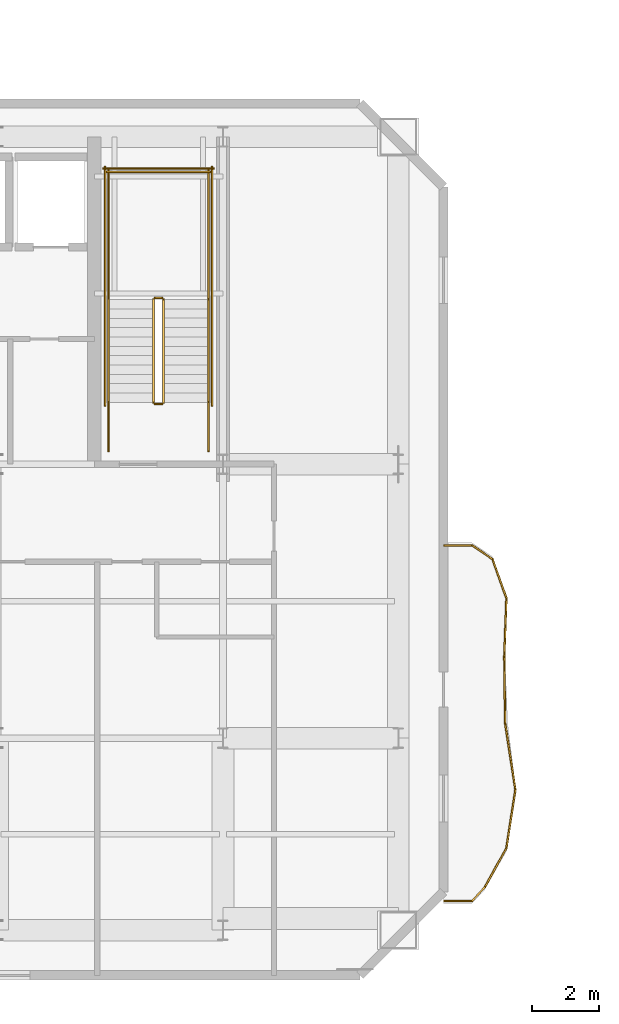
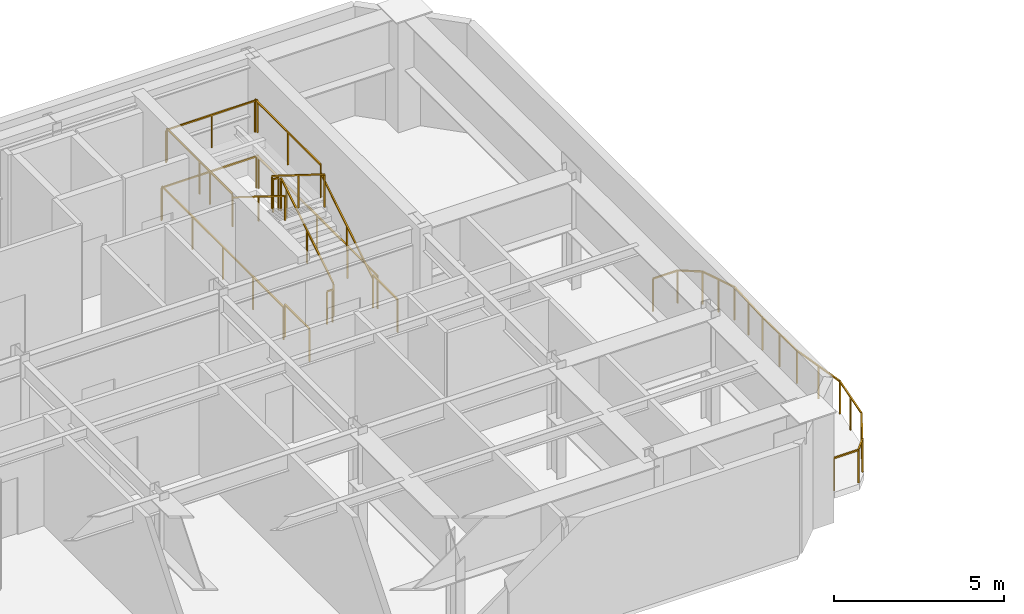
# One storey, part 15 of 16: 24 railings.
"""IFC4 building model written with IfcOpenShell, lengths in metres."""

from ifc_helpers import new_model, si_unit, direction, frame, origin, origin_2d, place, context, subcontext, project, spatial, rectangle, extrude, material, type_object, element, save


model = new_model("IFC4")

# Units and contexts
model_context = context("Model", 3, precision=1e-05, world=origin(), true_north=direction((0.0, 1.0)))
body_context = subcontext(model_context, "Body", "Model", "MODEL_VIEW")
ifc_project = project(units=[si_unit("LENGTHUNIT", "METRE"), si_unit("AREAUNIT", "SQUARE_METRE"), si_unit("VOLUMEUNIT", "CUBIC_METRE"), si_unit("PLANEANGLEUNIT", "RADIAN"), si_unit("MASSUNIT", "GRAM", prefix="KILO")], contexts=[model_context])

# Site, building, storey
site_placement = place(None, origin())
site = spatial("IfcSite", under=ifc_project, at=site_placement, CompositionType="ELEMENT")
building_placement = place(site_placement, origin())
building = spatial("IfcBuilding", under=site, at=building_placement, Name="Haevon Station Towers", CompositionType="ELEMENT")
storey_placement = place(building_placement, frame((0.0, 0.0, 235.199951171875)))
storey = spatial("IfcBuildingStorey", under=building, at=storey_placement, Name="L65", CompositionType="ELEMENT", Elevation=235.199951171875)

# Railings
ifc_material = material(Name="Steel S355", Category="steel")
railing_type_1 = type_object("IfcRailingType", Name="GRD-EXT1200", PredefinedType="GUARDRAIL", material=ifc_material)
railing_1_placement = place(storey_placement, frame((57.62353515625, 25.1279296875, 0.0)))
element("IfcRailing", 1, at=railing_1_placement, inside=storey, type_object=railing_type_1, Name="L65 Perimeter Guardrail 1", PredefinedType="GUARDRAIL", context=body_context, shape_type="SweptSolid", body=[
    extrude(rectangle(XDim=0.048095703125, YDim=0.048095703125, at=origin_2d()), frame((0.0, 0.0, 1.17578125), z_axis=(0.999997919967, 0.002039622797, 0.0), x_axis=(-0.002039622797, 0.999997919967, 0.0)), (0.0, 0.0, 1.0), 0.837890625),
    extrude(rectangle(XDim=0.0419921875, YDim=0.0419921875, at=origin_2d()), origin(), (0.0, 0.0, 1.0), 1.15185546875),
    extrude(rectangle(XDim=0.0419921875, YDim=0.0419921875, at=origin_2d()), frame((0.837890625, 0.001708984375, 0.0)), (0.0, 0.0, 1.0), 1.15185546875),
])
railing_2_placement = place(storey_placement, frame((58.46142578125, 25.129638671875, 0.0)))
element("IfcRailing", 2, at=railing_2_placement, inside=storey, type_object=railing_type_1, Name="L65 Perimeter Guardrail 2", PredefinedType="GUARDRAIL", context=body_context, shape_type="SweptSolid", body=[
    extrude(rectangle(XDim=0.048095703125, YDim=0.048095703125, at=origin_2d()), frame((0.0, 0.0, 1.17578125), z_axis=(0.67582366234, 0.737063346953, 0.0), x_axis=(-0.737063346953, 0.67582366234, 0.0)), (0.0, 0.0, 1.0), 0.55810546875),
    extrude(rectangle(XDim=0.0419921875, YDim=0.0419921875, at=origin_2d()), origin(), (0.0, 0.0, 1.0), 1.15185546875),
    extrude(rectangle(XDim=0.0419921875, YDim=0.0419921875, at=origin_2d()), frame((0.377197265625, 0.411376953125, 0.0)), (0.0, 0.0, 1.0), 1.15185546875),
])
railing_3_placement = place(storey_placement, frame((58.838623046875, 25.541015625, 0.0)))
element("IfcRailing", 3, at=railing_3_placement, inside=storey, type_object=railing_type_1, Name="L65 Perimeter Guardrail 3", PredefinedType="GUARDRAIL", context=body_context, shape_type="SweptSolid", body=[
    extrude(rectangle(XDim=0.048095703125, YDim=0.048095703125, at=origin_2d()), frame((0.0, 0.0, 1.17578125), z_axis=(0.483454046519, 0.875369741826, 0.0), x_axis=(-0.875369741826, 0.483454046519, 0.0)), (0.0, 0.0, 1.0), 1.336181640625),
    extrude(rectangle(XDim=0.0419921875, YDim=0.0419921875, at=origin_2d()), origin(), (0.0, 0.0, 1.0), 1.15185546875),
    extrude(rectangle(XDim=0.0419921875, YDim=0.0419921875, at=origin_2d()), frame((0.322998046875, 0.5849609375, 0.0)), (0.0, 0.0, 1.0), 1.15185546875),
    extrude(rectangle(XDim=0.0419921875, YDim=0.0419921875, at=origin_2d()), frame((0.64599609375, 1.169677734375, 0.0)), (0.0, 0.0, 1.0), 1.15185546875),
])
railing_4_placement = place(storey_placement, frame((59.484619140625, 26.710693359375, 0.0)))
element("IfcRailing", 4, at=railing_4_placement, inside=storey, type_object=railing_type_1, Name="L65 Perimeter Guardrail 4", PredefinedType="GUARDRAIL", context=body_context, shape_type="SweptSolid", body=[
    extrude(rectangle(XDim=0.048095703125, YDim=0.048095703125, at=origin_2d()), frame((0.0, 0.0, 1.17578125), z_axis=(0.151319853564, 0.988484851638, 0.0), x_axis=(-0.988484851638, 0.151319853564, 0.0)), (0.0, 0.0, 1.0), 1.7666015625),
    extrude(rectangle(XDim=0.0419921875, YDim=0.0419921875, at=origin_2d()), origin(), (0.0, 0.0, 1.0), 1.15185546875),
    extrude(rectangle(XDim=0.0419921875, YDim=0.0419921875, at=origin_2d()), frame((0.1337890625, 0.873046875, 0.0)), (0.0, 0.0, 1.0), 1.15185546875),
    extrude(rectangle(XDim=0.0419921875, YDim=0.0419921875, at=origin_2d()), frame((0.267333984375, 1.746337890625, 0.0)), (0.0, 0.0, 1.0), 1.15185546875),
])
railing_5_placement = place(storey_placement, frame((59.751953125, 28.45703125, 0.0)))
element("IfcRailing", 5, at=railing_5_placement, inside=storey, type_object=railing_type_1, Name="L65 Perimeter Guardrail 5", PredefinedType="GUARDRAIL", context=body_context, shape_type="SweptSolid", body=[
    extrude(rectangle(XDim=0.048095703125, YDim=0.048095703125, at=origin_2d()), frame((0.0, 0.0, 1.17578125), z_axis=(-0.151957098887, 0.988387090212, 0.0), x_axis=(-0.988387090212, -0.151957098887, 0.0)), (0.0, 0.0, 1.0), 2.016357421875),
    extrude(rectangle(XDim=0.0419921875, YDim=0.0419921875, at=origin_2d()), origin(), (0.0, 0.0, 1.0), 1.15185546875),
    extrude(rectangle(XDim=0.0419921875, YDim=0.0419921875, at=origin_2d()), frame((-0.1533203125, 0.99658203125, 0.0)), (0.0, 0.0, 1.0), 1.15185546875),
    extrude(rectangle(XDim=0.0419921875, YDim=0.0419921875, at=origin_2d()), frame((-0.306396484375, 1.992919921875, 0.0)), (0.0, 0.0, 1.0), 1.15185546875),
])
railing_6_placement = place(storey_placement, frame((59.445556640625, 30.449951171875, 0.0)))
element("IfcRailing", 6, at=railing_6_placement, inside=storey, type_object=railing_type_1, Name="L65 Perimeter Guardrail 6", PredefinedType="GUARDRAIL", context=body_context, shape_type="SweptSolid", body=[
    extrude(rectangle(XDim=0.048095703125, YDim=0.048095703125, at=origin_2d()), frame((0.0, 0.0, 1.17578125), z_axis=(-0.01276282884, 0.999918551783, 0.0), x_axis=(-0.999918551783, -0.01276282884, 0.0)), (0.0, 0.0, 1.0), 1.989501953125),
    extrude(rectangle(XDim=0.0419921875, YDim=0.0419921875, at=origin_2d()), origin(), (0.0, 0.0, 1.0), 1.15185546875),
    extrude(rectangle(XDim=0.0419921875, YDim=0.0419921875, at=origin_2d()), frame((-0.0126953125, 0.99462890625, 0.0)), (0.0, 0.0, 1.0), 1.15185546875),
    extrude(rectangle(XDim=0.0419921875, YDim=0.0419921875, at=origin_2d()), frame((-0.025390625, 1.9892578125, 0.0)), (0.0, 0.0, 1.0), 1.15185546875),
])
railing_7_placement = place(storey_placement, frame((59.420166015625, 32.439208984375, 0.0)))
element("IfcRailing", 7, at=railing_7_placement, inside=storey, type_object=railing_type_1, Name="L65 Perimeter Guardrail 7", PredefinedType="GUARDRAIL", context=body_context, shape_type="SweptSolid", body=[
    extrude(rectangle(XDim=0.048095703125, YDim=0.048095703125, at=origin_2d()), frame((0.0, 0.0, 1.17578125), z_axis=(0.036800275781, 0.999322640443, 0.0), x_axis=(-0.999322640443, 0.036800275781, 0.0)), (0.0, 0.0, 1.0), 1.75146484375),
    extrude(rectangle(XDim=0.0419921875, YDim=0.0419921875, at=origin_2d()), origin(), (0.0, 0.0, 1.0), 1.15185546875),
    extrude(rectangle(XDim=0.0419921875, YDim=0.0419921875, at=origin_2d()), frame((0.0322265625, 0.875, 0.0)), (0.0, 0.0, 1.0), 1.15185546875),
    extrude(rectangle(XDim=0.0419921875, YDim=0.0419921875, at=origin_2d()), frame((0.064453125, 1.750244140625, 0.0)), (0.0, 0.0, 1.0), 1.15185546875),
])
railing_8_placement = place(storey_placement, frame((59.484619140625, 34.189453125, 0.0)))
element("IfcRailing", 8, at=railing_8_placement, inside=storey, type_object=railing_type_1, Name="L65 Perimeter Guardrail 8", PredefinedType="GUARDRAIL", context=body_context, shape_type="SweptSolid", body=[
    extrude(rectangle(XDim=0.048095703125, YDim=0.048095703125, at=origin_2d()), frame((0.0, 0.0, 1.17578125), z_axis=(-0.337431724069, 0.941350004829, 0.0), x_axis=(-0.941350004829, -0.337431724069, 0.0)), (0.0, 0.0, 1.0), 1.2421875),
    extrude(rectangle(XDim=0.0419921875, YDim=0.0419921875, at=origin_2d()), origin(), (0.0, 0.0, 1.0), 1.15185546875),
    extrude(rectangle(XDim=0.0419921875, YDim=0.0419921875, at=origin_2d()), frame((-0.20947265625, 0.584716796875, 0.0)), (0.0, 0.0, 1.0), 1.15185546875),
    extrude(rectangle(XDim=0.0419921875, YDim=0.0419921875, at=origin_2d()), frame((-0.419189453125, 1.16943359375, 0.0)), (0.0, 0.0, 1.0), 1.15185546875),
])
railing_9_placement = place(storey_placement, frame((59.0654296875, 35.35888671875, 0.0)))
element("IfcRailing", 9, at=railing_9_placement, inside=storey, type_object=railing_type_1, Name="L65 Perimeter Guardrail 9", PredefinedType="GUARDRAIL", context=body_context, shape_type="SweptSolid", body=[
    extrude(rectangle(XDim=0.048095703125, YDim=0.048095703125, at=origin_2d()), frame((0.0, 0.0, 1.17578125), z_axis=(-0.826509956725, 0.56292210068, 0.0), x_axis=(-0.56292210068, -0.826509956725, 0.0)), (0.0, 0.0, 1.0), 0.730712890625),
    extrude(rectangle(XDim=0.0419921875, YDim=0.0419921875, at=origin_2d()), origin(), (0.0, 0.0, 1.0), 1.15185546875),
    extrude(rectangle(XDim=0.0419921875, YDim=0.0419921875, at=origin_2d()), frame((-0.60400390625, 0.411376953125, 0.0)), (0.0, 0.0, 1.0), 1.15185546875),
])
railing_10_placement = place(storey_placement, frame((58.46142578125, 35.770263671875, 0.0)))
element("IfcRailing", 10, at=railing_10_placement, inside=storey, type_object=railing_type_1, Name="L65 Perimeter Guardrail 10", PredefinedType="GUARDRAIL", context=body_context, shape_type="SweptSolid", body=[
    extrude(rectangle(XDim=0.048095703125, YDim=0.048095703125, at=origin_2d()), frame((0.0, 0.0, 1.17578125), z_axis=(-0.999997283225, 0.002330995998, 0.0), x_axis=(-0.002330995998, -0.999997283225, 0.0)), (0.0, 0.0, 1.0), 0.837890625),
    extrude(rectangle(XDim=0.0419921875, YDim=0.0419921875, at=origin_2d()), origin(), (0.0, 0.0, 1.0), 1.15185546875),
    extrude(rectangle(XDim=0.0419921875, YDim=0.0419921875, at=origin_2d()), frame((-0.837890625, 0.001953125, 0.0)), (0.0, 0.0, 1.0), 1.15185546875),
])
railing_type_2 = type_object("IfcRailingType", Name="GRD-STR1200", PredefinedType="GUARDRAIL", material=ifc_material)
railing_11_placement = place(storey_placement, frame((49.219970703125, 40.050048828125, 0.175048828125)))
element("IfcRailing", 11, at=railing_11_placement, inside=storey, type_object=railing_type_2, Name="L65 ST2 Stair Guard 1", PredefinedType="GUARDRAIL", context=body_context, shape_type="SweptSolid", body=[
    extrude(rectangle(XDim=0.048095703125, YDim=0.048095703125, at=origin_2d()), frame((0.0, 0.0, 1.17578125), z_axis=(0.0, 0.847979421464, 0.530029150871), x_axis=(-1.0, 0.0, 0.0)), (0.0, 0.0, 1.0), 3.632080078125),
    extrude(rectangle(XDim=0.0419921875, YDim=0.0419921875, at=origin_2d()), origin(), (0.0, 0.0, 1.0), 1.15185546875),
    extrude(rectangle(XDim=0.0419921875, YDim=0.0419921875, at=origin_2d()), frame((0.0, 1.5400390625, 0.96240234375)), (0.0, 0.0, 1.0), 1.15185546875),
    extrude(rectangle(XDim=0.0419921875, YDim=0.0419921875, at=origin_2d()), frame((0.0, 3.079833984375, 1.925048828125)), (0.0, 0.0, 1.0), 1.15185546875),
])
railing_12_placement = place(storey_placement, frame((49.169921875, 43.179931640625, 2.10009765625)))
element("IfcRailing", 12, at=railing_12_placement, inside=storey, type_object=railing_type_2, Name="L65 ST2 Stair Guard 2", PredefinedType="GUARDRAIL", context=body_context, shape_type="SweptSolid", body=[
    extrude(rectangle(XDim=0.048095703125, YDim=0.048095703125, at=origin_2d()), frame((0.0, 0.0, 1.17578125), z_axis=(-1.0, 0.0, 0.0), x_axis=(0.0, -1.0, 0.0)), (0.0, 0.0, 1.0), 0.199951171875),
    extrude(rectangle(XDim=0.0419921875, YDim=0.0419921875, at=origin_2d()), origin(), (0.0, 0.0, 1.0), 1.15185546875),
    extrude(rectangle(XDim=0.0419921875, YDim=0.0419921875, at=origin_2d()), frame((-0.199951171875, 0.0, 0.0)), (0.0, 0.0, 1.0), 1.15185546875),
])
for number, where, name in (
    (13, (50.570068359375, 43.1298828125, 2.10009765625), "L65 ST2 Stair Guard 3"),
    (14, (47.570068359375, 43.1298828125, 2.10009765625), "L65 ST2 Stair Guard 4"),
):
    element("IfcRailing", number, at=place(storey_placement, frame(where)), inside=storey, type_object=railing_type_2, Name=name, PredefinedType="GUARDRAIL", context=body_context, shape_type="SweptSolid", body=[
        extrude(rectangle(XDim=0.048095703125, YDim=0.048095703125, at=origin_2d()), frame((0.0, 0.0, 1.17578125), z_axis=(0.0, 1.0, 0.0), x_axis=(-1.0, 0.0, 0.0)), (0.0, 0.0, 1.0), 3.8701171875),
        extrude(rectangle(XDim=0.0419921875, YDim=0.0419921875, at=origin_2d()), origin(), (0.0, 0.0, 1.0), 1.15185546875),
        extrude(rectangle(XDim=0.0419921875, YDim=0.0419921875, at=origin_2d()), frame((0.0, 1.93505859375, 0.0)), (0.0, 0.0, 1.0), 1.15185546875),
        extrude(rectangle(XDim=0.0419921875, YDim=0.0419921875, at=origin_2d()), frame((0.0, 3.8701171875, 0.0)), (0.0, 0.0, 1.0), 1.15185546875),
    ])
railing_13_placement = place(storey_placement, frame((50.6201171875, 46.949951171875, 2.10009765625)))
element("IfcRailing", 15, at=railing_13_placement, inside=storey, type_object=railing_type_2, Name="L65 ST2 Stair Guard 5", PredefinedType="GUARDRAIL", context=body_context, shape_type="SweptSolid", body=[
    extrude(rectangle(XDim=0.048095703125, YDim=0.048095703125, at=origin_2d()), frame((0.0, 0.0, 1.17578125), z_axis=(-1.0, 0.0, 0.0), x_axis=(0.0, -1.0, 0.0)), (0.0, 0.0, 1.0), 3.10009765625),
    extrude(rectangle(XDim=0.0419921875, YDim=0.0419921875, at=origin_2d()), origin(), (0.0, 0.0, 1.0), 1.15185546875),
    extrude(rectangle(XDim=0.0419921875, YDim=0.0419921875, at=origin_2d()), frame((-1.550048828125, 0.0, 0.0)), (0.0, 0.0, 1.0), 1.15185546875),
    extrude(rectangle(XDim=0.0419921875, YDim=0.0419921875, at=origin_2d()), frame((-3.10009765625, 0.0, 0.0)), (0.0, 0.0, 1.0), 1.15185546875),
])
railing_14_placement = place(storey_placement, frame((48.919921875, 43.1298828125, 2.275146484375)))
element("IfcRailing", 16, at=railing_14_placement, inside=storey, type_object=railing_type_2, Name="L65 ST2 Stair Guard 6", PredefinedType="GUARDRAIL", context=body_context, shape_type="SweptSolid", body=[
    extrude(rectangle(XDim=0.048095703125, YDim=0.048095703125, at=origin_2d()), frame((0.0, 0.0, 1.17578125), z_axis=(0.0, -0.848009633417, 0.529980812513), x_axis=(1.0, 0.0, 0.0)), (0.0, 0.0, 1.0), 3.6318359375),
    extrude(rectangle(XDim=0.0419921875, YDim=0.0419921875, at=origin_2d()), origin(), (0.0, 0.0, 1.0), 1.15185546875),
    extrude(rectangle(XDim=0.0419921875, YDim=0.0419921875, at=origin_2d()), frame((0.0, -1.5400390625, 0.96240234375)), (0.0, 0.0, 1.0), 1.15185546875),
    extrude(rectangle(XDim=0.0419921875, YDim=0.0419921875, at=origin_2d()), frame((0.0, -3.079833984375, 1.9248046875)), (0.0, 0.0, 1.0), 1.15185546875),
])
railing_15_placement = place(storey_placement, frame((49.169921875, 40.0, 0.0)))
element("IfcRailing", 17, at=railing_15_placement, inside=storey, type_object=railing_type_2, Name="L65 ST2 Stair Guard 7", PredefinedType="GUARDRAIL", context=body_context, shape_type="SweptSolid", body=[
    extrude(rectangle(XDim=0.048095703125, YDim=0.048095703125, at=origin_2d()), frame((0.0, 0.0, 1.17578125), z_axis=(-1.0, 0.0, 0.0), x_axis=(0.0, -1.0, 0.0)), (0.0, 0.0, 1.0), 0.199951171875),
    extrude(rectangle(XDim=0.0419921875, YDim=0.0419921875, at=origin_2d()), origin(), (0.0, 0.0, 1.0), 1.15185546875),
    extrude(rectangle(XDim=0.0419921875, YDim=0.0419921875, at=origin_2d()), frame((-0.199951171875, 0.0, 0.0)), (0.0, 0.0, 1.0), 1.15185546875),
])
for number, where, name in (
    (18, (50.570068359375, 38.60009765625, 0.0), "L65 ST2 Stair Guard 8"),
    (19, (47.570068359375, 38.60009765625, 0.0), "L65 ST2 Stair Guard 9"),
):
    element("IfcRailing", number, at=place(storey_placement, frame(where)), inside=storey, type_object=railing_type_2, Name=name, PredefinedType="GUARDRAIL", context=body_context, shape_type="SweptSolid", body=[
        extrude(rectangle(XDim=0.048095703125, YDim=0.048095703125, at=origin_2d()), frame((0.0, 0.0, 1.17578125), z_axis=(0.0, 1.0, 0.0), x_axis=(-1.0, 0.0, 0.0)), (0.0, 0.0, 1.0), 1.449951171875),
        extrude(rectangle(XDim=0.0419921875, YDim=0.0419921875, at=origin_2d()), origin(), (0.0, 0.0, 1.0), 1.15185546875),
        extrude(rectangle(XDim=0.0419921875, YDim=0.0419921875, at=origin_2d()), frame((0.0, 1.449951171875, 0.0)), (0.0, 0.0, 1.0), 1.15185546875),
    ])
for number, where, name in (
    (20, (50.669921875, 39.949951171875, 0.0), "L65 ST2 Stair Guard 10"),
    (21, (47.469970703125, 39.949951171875, 0.0), "L65 ST2 Stair Guard 11"),
):
    element("IfcRailing", number, at=place(storey_placement, frame(where)), inside=storey, type_object=railing_type_2, Name=name, PredefinedType="GUARDRAIL", context=body_context, shape_type="SweptSolid", body=[
        extrude(rectangle(XDim=0.048095703125, YDim=0.048095703125, at=origin_2d()), frame((0.0, 0.0, 1.17578125), z_axis=(0.0, 1.0, 0.0), x_axis=(-1.0, 0.0, 0.0)), (0.0, 0.0, 1.0), 7.150146484375),
        extrude(rectangle(XDim=0.0419921875, YDim=0.0419921875, at=origin_2d()), origin(), (0.0, 0.0, 1.0), 1.15185546875),
        extrude(rectangle(XDim=0.0419921875, YDim=0.0419921875, at=origin_2d()), frame((0.0, 1.78759765625, 0.0)), (0.0, 0.0, 1.0), 1.15185546875),
        extrude(rectangle(XDim=0.0419921875, YDim=0.0419921875, at=origin_2d()), frame((0.0, 3.5751953125, 0.0)), (0.0, 0.0, 1.0), 1.15185546875),
        extrude(rectangle(XDim=0.0419921875, YDim=0.0419921875, at=origin_2d()), frame((0.0, 5.362548828125, 0.0)), (0.0, 0.0, 1.0), 1.15185546875),
        extrude(rectangle(XDim=0.0419921875, YDim=0.0419921875, at=origin_2d()), frame((0.0, 7.150146484375, 0.0)), (0.0, 0.0, 1.0), 1.15185546875),
    ])
railing_16_placement = place(storey_placement, frame((50.719970703125, 47.050048828125, 0.0)))
element("IfcRailing", 22, at=railing_16_placement, inside=storey, type_object=railing_type_2, Name="L65 ST2 Stair Guard 12", PredefinedType="GUARDRAIL", context=body_context, shape_type="SweptSolid", body=[
    extrude(rectangle(XDim=0.048095703125, YDim=0.048095703125, at=origin_2d()), frame((0.0, 0.0, 1.17578125), z_axis=(-1.0, 0.0, 0.0), x_axis=(0.0, -1.0, 0.0)), (0.0, 0.0, 1.0), 3.300048828125),
    extrude(rectangle(XDim=0.0419921875, YDim=0.0419921875, at=origin_2d()), origin(), (0.0, 0.0, 1.0), 1.15185546875),
    extrude(rectangle(XDim=0.0419921875, YDim=0.0419921875, at=origin_2d()), frame((-1.64990234375, 0.0, 0.0)), (0.0, 0.0, 1.0), 1.15185546875),
    extrude(rectangle(XDim=0.0419921875, YDim=0.0419921875, at=origin_2d()), frame((-3.300048828125, 0.0, 0.0)), (0.0, 0.0, 1.0), 1.15185546875),
])
railing_type_3 = type_object("IfcRailingType", Name="HND-STR900", PredefinedType="HANDRAIL", material=ifc_material)
railing_17_placement = place(storey_placement, frame((50.570068359375, 40.050048828125, 0.175048828125)))
element("IfcRailing", 23, at=railing_17_placement, inside=storey, type_object=railing_type_3, Name="L65 ST2 Stair Handrail 1", PredefinedType="HANDRAIL", context=body_context, shape_type="SweptSolid", body=[
    extrude(rectangle(XDim=0.048095703125, YDim=0.048095703125, at=origin_2d()), frame((0.0, 0.0, 0.8759765625), z_axis=(0.0, 0.847979421464, 0.530029150871), x_axis=(-1.0, 0.0, 0.0)), (0.0, 0.0, 1.0), 3.632080078125),
    extrude(rectangle(XDim=0.0419921875, YDim=0.0419921875, at=origin_2d()), origin(), (0.0, 0.0, 1.0), 0.851806640625),
    extrude(rectangle(XDim=0.0419921875, YDim=0.0419921875, at=origin_2d()), frame((0.0, 1.5400390625, 0.96240234375)), (0.0, 0.0, 1.0), 0.851806640625),
    extrude(rectangle(XDim=0.0419921875, YDim=0.0419921875, at=origin_2d()), frame((0.0, 3.079833984375, 1.925048828125)), (0.0, 0.0, 1.0), 0.851806640625),
])
railing_18_placement = place(storey_placement, frame((47.570068359375, 43.1298828125, 2.275146484375)))
element("IfcRailing", 24, at=railing_18_placement, inside=storey, type_object=railing_type_3, Name="L65 ST2 Stair Handrail 2", PredefinedType="HANDRAIL", context=body_context, shape_type="SweptSolid", body=[
    extrude(rectangle(XDim=0.048095703125, YDim=0.048095703125, at=origin_2d()), frame((0.0, 0.0, 0.8759765625), z_axis=(0.0, -0.848009633417, 0.529980812513), x_axis=(1.0, 0.0, 0.0)), (0.0, 0.0, 1.0), 3.6318359375),
    extrude(rectangle(XDim=0.0419921875, YDim=0.0419921875, at=origin_2d()), origin(), (0.0, 0.0, 1.0), 0.851806640625),
    extrude(rectangle(XDim=0.0419921875, YDim=0.0419921875, at=origin_2d()), frame((0.0, -1.5400390625, 0.96240234375)), (0.0, 0.0, 1.0), 0.851806640625),
    extrude(rectangle(XDim=0.0419921875, YDim=0.0419921875, at=origin_2d()), frame((0.0, -3.079833984375, 1.9248046875)), (0.0, 0.0, 1.0), 0.851806640625),
])

save(model, "model.ifc")
